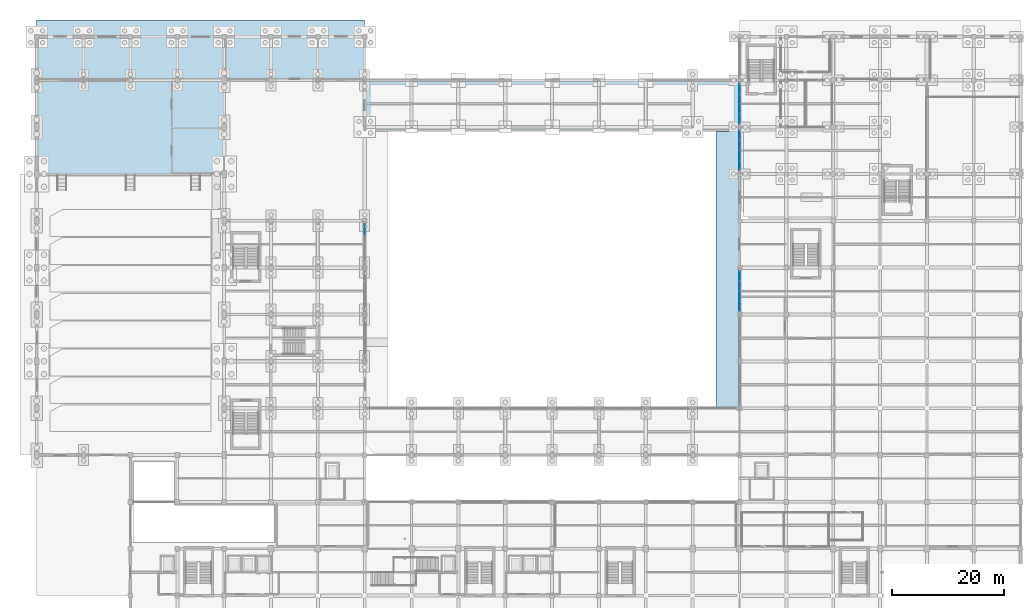
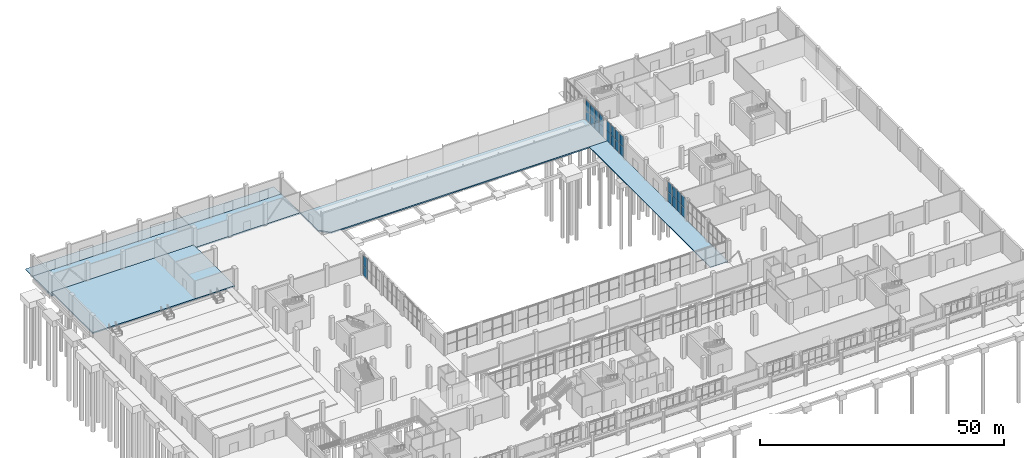
# One storey, part 58 of 82: 26 plates, 5 slabs, 4 elements without a shape of their own.
"""IFC4 building model written with IfcOpenShell, lengths in metres."""

from ifc_helpers import new_model, si_unit, derived_unit, direction, frame, origin, origin_2d, place, context, subcontext, project, spatial, polyline, rectangle, outline, extrude, material, layer, layer_set, type_object, element, aggregate, save


model = new_model("IFC4")

# Units and contexts
model_context = context("Model", 3, precision=1e-05, world=origin(), true_north=direction((0.0, 1.0)))
body_context = subcontext(model_context, "Body", "Model", "MODEL_VIEW")
ifc_project = project(units=[si_unit("LENGTHUNIT", "METRE"), si_unit("AREAUNIT", "SQUARE_METRE"), si_unit("VOLUMEUNIT", "CUBIC_METRE"), si_unit("PLANEANGLEUNIT", "RADIAN"), si_unit("MASSUNIT", "GRAM", prefix="KILO"), derived_unit("THERMALTRANSMITTANCEUNIT", [(si_unit("POWERUNIT", "WATT"), 1), (si_unit("LENGTHUNIT", "METRE"), -2), (si_unit("THERMODYNAMICTEMPERATUREUNIT", "KELVIN"), -1)])], contexts=[model_context])

# Site, building, storey
site_placement = place(None, origin())
site = spatial("IfcSite", under=ifc_project, at=site_placement, CompositionType="ELEMENT")
building_placement = place(site_placement, origin())
building = spatial("IfcBuilding", under=site, at=building_placement, Name="Barrovel Congress Hotel", CompositionType="ELEMENT")
storey_placement = place(building_placement, origin())
storey = spatial("IfcBuildingStorey", under=building, at=storey_placement, Name="L00", CompositionType="ELEMENT", Elevation=0.0)

# Curtain wall, plates
ifc_material_1 = material(Name="Anodised Aluminium Alloy 6063-T6", Category="aluminium")
curtain_wall_type = type_object("IfcCurtainWallType", Name="CW-ST-7200x3600", PredefinedType="USERDEFINED", material=ifc_material_1)
curtain_wall_1_placement = place(storey_placement, origin())
curtain_wall_1 = element("IfcCurtainWall", 1, at=curtain_wall_1_placement, inside=storey, type_object=curtain_wall_type, Name="CW:L00:CE:63.0", ObjectType="STICK CURTAIN WALL", PredefinedType="USERDEFINED")
ifc_material_2 = material(Name="Double Low-E Insulated Glazing", Category="glass")
ifc_layer_1 = layer(ifc_material_2, 0.028076171875)
ifc_layer_set_1 = layer_set([ifc_layer_1], Name="Double Low-E Insulated Glazing")
plate_type_1 = type_object("IfcPlateType", Name="CWP-28", PredefinedType="CURTAIN_PANEL", material=ifc_layer_set_1)
plate_1_placement = place(storey_placement, frame((126.0, 69.89990234375, 0.030029296875), z_axis=(0.0, 0.0, 1.0), x_axis=(0.0, -1.0, 0.0)))
plate_1 = element("IfcPlate", 2, at=plate_1_placement, type_object=plate_type_1, Name="CW:L00:CE:63.0:P0-0", PredefinedType="CURTAIN_PANEL", context=body_context, shape_type="SweptSolid", body=[
    extrude(rectangle(XDim=1.739990234375, YDim=0.028076171875, at=origin_2d()), origin(), (0.0, 0.0, 1.0), 2.5),
])
plate_2_placement = place(storey_placement, frame((126.0, 69.89990234375, 2.590087890625), z_axis=(0.0, 0.0, 1.0), x_axis=(0.0, -1.0, 0.0)))
plate_2 = element("IfcPlate", 3, at=plate_2_placement, type_object=plate_type_1, Name="CW:L00:CE:63.0:P0-1", PredefinedType="CURTAIN_PANEL", context=body_context, shape_type="SweptSolid", body=[
    extrude(rectangle(XDim=1.739990234375, YDim=0.028076171875, at=origin_2d()), origin(), (0.0, 0.0, 1.0), 2.5),
])
plate_3_placement = place(storey_placement, frame((126.0, 68.10009765625, 0.030029296875), z_axis=(0.0, 0.0, 1.0), x_axis=(0.0, -1.0, 0.0)))
plate_3 = element("IfcPlate", 4, at=plate_3_placement, type_object=plate_type_1, Name="CW:L00:CE:63.0:P1-0", PredefinedType="CURTAIN_PANEL", context=body_context, shape_type="SweptSolid", body=[
    extrude(rectangle(XDim=1.739990234375, YDim=0.028076171875, at=origin_2d()), origin(), (0.0, 0.0, 1.0), 2.5),
])
plate_4_placement = place(storey_placement, frame((126.0, 68.10009765625, 2.590087890625), z_axis=(0.0, 0.0, 1.0), x_axis=(0.0, -1.0, 0.0)))
plate_4 = element("IfcPlate", 5, at=plate_4_placement, type_object=plate_type_1, Name="CW:L00:CE:63.0:P1-1", PredefinedType="CURTAIN_PANEL", context=body_context, shape_type="SweptSolid", body=[
    extrude(rectangle(XDim=1.739990234375, YDim=0.028076171875, at=origin_2d()), origin(), (0.0, 0.0, 1.0), 2.5),
])
plate_5_placement = place(storey_placement, frame((126.0, 66.300048828125, 0.030029296875), z_axis=(0.0, 0.0, 1.0), x_axis=(0.0, -1.0, 0.0)))
plate_5 = element("IfcPlate", 6, at=plate_5_placement, type_object=plate_type_1, Name="CW:L00:CE:63.0:P2-0", PredefinedType="CURTAIN_PANEL", context=body_context, shape_type="SweptSolid", body=[
    extrude(rectangle(XDim=1.739990234375, YDim=0.028076171875, at=origin_2d()), origin(), (0.0, 0.0, 1.0), 2.5),
])
plate_6_placement = place(storey_placement, frame((126.0, 66.300048828125, 2.590087890625), z_axis=(0.0, 0.0, 1.0), x_axis=(0.0, -1.0, 0.0)))
plate_6 = element("IfcPlate", 7, at=plate_6_placement, type_object=plate_type_1, Name="CW:L00:CE:63.0:P2-1", PredefinedType="CURTAIN_PANEL", context=body_context, shape_type="SweptSolid", body=[
    extrude(rectangle(XDim=1.739990234375, YDim=0.028076171875, at=origin_2d()), origin(), (0.0, 0.0, 1.0), 2.5),
])
plate_7_placement = place(storey_placement, frame((126.0, 64.5, 0.030029296875), z_axis=(0.0, 0.0, 1.0), x_axis=(0.0, -1.0, 0.0)))
plate_7 = element("IfcPlate", 8, at=plate_7_placement, type_object=plate_type_1, Name="CW:L00:CE:63.0:P3-0", PredefinedType="CURTAIN_PANEL", context=body_context, shape_type="SweptSolid", body=[
    extrude(rectangle(XDim=1.739990234375, YDim=0.028076171875, at=origin_2d()), origin(), (0.0, 0.0, 1.0), 2.5),
])
plate_8_placement = place(storey_placement, frame((126.0, 64.5, 2.590087890625), z_axis=(0.0, 0.0, 1.0), x_axis=(0.0, -1.0, 0.0)))
plate_8 = element("IfcPlate", 9, at=plate_8_placement, type_object=plate_type_1, Name="CW:L00:CE:63.0:P3-1", PredefinedType="CURTAIN_PANEL", context=body_context, shape_type="SweptSolid", body=[
    extrude(rectangle(XDim=1.739990234375, YDim=0.028076171875, at=origin_2d()), origin(), (0.0, 0.0, 1.0), 2.5),
])
aggregate(curtain_wall_1, [plate_1, plate_2, plate_3, plate_4, plate_5, plate_6, plate_7, plate_8])

curtain_wall_2_placement = place(storey_placement, origin())
curtain_wall_2 = element("IfcCurtainWall", 10, at=curtain_wall_2_placement, inside=storey, type_object=curtain_wall_type, Name="CW:L00:CE:96.6", ObjectType="STICK CURTAIN WALL", PredefinedType="USERDEFINED")
plate_9_placement = place(storey_placement, frame((126.0, 103.5, 0.030029296875), z_axis=(0.0, 0.0, 1.0), x_axis=(0.0, -1.0, 0.0)))
plate_9 = element("IfcPlate", 11, at=plate_9_placement, type_object=plate_type_1, Name="CW:L00:CE:96.6:P0-0", PredefinedType="CURTAIN_PANEL", context=body_context, shape_type="SweptSolid", body=[
    extrude(rectangle(XDim=1.739990234375, YDim=0.028076171875, at=origin_2d()), origin(), (0.0, 0.0, 1.0), 2.5),
])
plate_10_placement = place(storey_placement, frame((126.0, 103.5, 2.590087890625), z_axis=(0.0, 0.0, 1.0), x_axis=(0.0, -1.0, 0.0)))
plate_10 = element("IfcPlate", 12, at=plate_10_placement, type_object=plate_type_1, Name="CW:L00:CE:96.6:P0-1", PredefinedType="CURTAIN_PANEL", context=body_context, shape_type="SweptSolid", body=[
    extrude(rectangle(XDim=1.739990234375, YDim=0.028076171875, at=origin_2d()), origin(), (0.0, 0.0, 1.0), 2.5),
])
plate_11_placement = place(storey_placement, frame((126.0, 101.699951171875, 0.030029296875), z_axis=(0.0, 0.0, 1.0), x_axis=(0.0, -1.0, 0.0)))
plate_11 = element("IfcPlate", 13, at=plate_11_placement, type_object=plate_type_1, Name="CW:L00:CE:96.6:P1-0", PredefinedType="CURTAIN_PANEL", context=body_context, shape_type="SweptSolid", body=[
    extrude(rectangle(XDim=1.739990234375, YDim=0.028076171875, at=origin_2d()), origin(), (0.0, 0.0, 1.0), 2.5),
])
plate_12_placement = place(storey_placement, frame((126.0, 101.699951171875, 2.590087890625), z_axis=(0.0, 0.0, 1.0), x_axis=(0.0, -1.0, 0.0)))
plate_12 = element("IfcPlate", 14, at=plate_12_placement, type_object=plate_type_1, Name="CW:L00:CE:96.6:P1-1", PredefinedType="CURTAIN_PANEL", context=body_context, shape_type="SweptSolid", body=[
    extrude(rectangle(XDim=1.739990234375, YDim=0.028076171875, at=origin_2d()), origin(), (0.0, 0.0, 1.0), 2.5),
])
plate_13_placement = place(storey_placement, frame((126.0, 99.89990234375, 0.030029296875), z_axis=(0.0, 0.0, 1.0), x_axis=(0.0, -1.0, 0.0)))
plate_13 = element("IfcPlate", 15, at=plate_13_placement, type_object=plate_type_1, Name="CW:L00:CE:96.6:P2-0", PredefinedType="CURTAIN_PANEL", context=body_context, shape_type="SweptSolid", body=[
    extrude(rectangle(XDim=1.739990234375, YDim=0.028076171875, at=origin_2d()), origin(), (0.0, 0.0, 1.0), 2.5),
])
plate_14_placement = place(storey_placement, frame((126.0, 99.89990234375, 2.590087890625), z_axis=(0.0, 0.0, 1.0), x_axis=(0.0, -1.0, 0.0)))
plate_14 = element("IfcPlate", 16, at=plate_14_placement, type_object=plate_type_1, Name="CW:L00:CE:96.6:P2-1", PredefinedType="CURTAIN_PANEL", context=body_context, shape_type="SweptSolid", body=[
    extrude(rectangle(XDim=1.739990234375, YDim=0.028076171875, at=origin_2d()), origin(), (0.0, 0.0, 1.0), 2.5),
])
plate_15_placement = place(storey_placement, frame((126.0, 98.10009765625, 0.030029296875), z_axis=(0.0, 0.0, 1.0), x_axis=(0.0, -1.0, 0.0)))
plate_15 = element("IfcPlate", 17, at=plate_15_placement, type_object=plate_type_1, Name="CW:L00:CE:96.6:P3-0", PredefinedType="CURTAIN_PANEL", context=body_context, shape_type="SweptSolid", body=[
    extrude(rectangle(XDim=1.739990234375, YDim=0.028076171875, at=origin_2d()), origin(), (0.0, 0.0, 1.0), 2.5),
])
plate_16_placement = place(storey_placement, frame((126.0, 98.10009765625, 2.590087890625), z_axis=(0.0, 0.0, 1.0), x_axis=(0.0, -1.0, 0.0)))
plate_16 = element("IfcPlate", 18, at=plate_16_placement, type_object=plate_type_1, Name="CW:L00:CE:96.6:P3-1", PredefinedType="CURTAIN_PANEL", context=body_context, shape_type="SweptSolid", body=[
    extrude(rectangle(XDim=1.739990234375, YDim=0.028076171875, at=origin_2d()), origin(), (0.0, 0.0, 1.0), 2.5),
])
aggregate(curtain_wall_2, [plate_9, plate_10, plate_11, plate_12, plate_13, plate_14, plate_15, plate_16])

curtain_wall_3_placement = place(storey_placement, origin())
curtain_wall_3 = element("IfcCurtainWall", 19, at=curtain_wall_3_placement, inside=storey, type_object=curtain_wall_type, Name="CW:L00:CW:71.4", ObjectType="STICK CURTAIN WALL", PredefinedType="USERDEFINED")
ifc_layer_2 = layer(ifc_material_2, 0.031982421875)
ifc_layer_set_2 = layer_set([ifc_layer_2], Name="Double Low-E Insulated Glazing")
plate_type_2 = type_object("IfcPlateType", Name="CWP-32", PredefinedType="CURTAIN_PANEL", material=ifc_layer_set_2)
plate_17_placement = place(storey_placement, frame((58.800048828125, 78.300048828125, 0.030029296875), z_axis=(0.0, 0.0, 1.0), x_axis=(0.0, 1.0, 0.0)))
plate_17 = element("IfcPlate", 20, at=plate_17_placement, type_object=plate_type_2, Name="CW:L00:CW:71.4:P3-0", PredefinedType="CURTAIN_PANEL", context=body_context, shape_type="SweptSolid", body=[
    extrude(rectangle(XDim=1.739990234375, YDim=0.031982421875, at=origin_2d()), origin(), (0.0, 0.0, 1.0), 2.5),
])
plate_18_placement = place(storey_placement, frame((58.800048828125, 78.300048828125, 2.590087890625), z_axis=(0.0, 0.0, 1.0), x_axis=(0.0, 1.0, 0.0)))
plate_18 = element("IfcPlate", 21, at=plate_18_placement, type_object=plate_type_2, Name="CW:L00:CW:71.4:P3-1", PredefinedType="CURTAIN_PANEL", context=body_context, shape_type="SweptSolid", body=[
    extrude(rectangle(XDim=1.739990234375, YDim=0.031982421875, at=origin_2d()), origin(), (0.0, 0.0, 1.0), 2.5),
])
aggregate(curtain_wall_3, [plate_17, plate_18])

curtain_wall_4_placement = place(storey_placement, origin())
curtain_wall_4 = element("IfcCurtainWall", 22, at=curtain_wall_4_placement, inside=storey, type_object=curtain_wall_type, Name="CW:L00:CE:88.2", ObjectType="STICK CURTAIN WALL", PredefinedType="USERDEFINED")
plate_19_placement = place(storey_placement, frame((126.0, 95.10009765625, 0.030029296875), z_axis=(0.0, 0.0, 1.0), x_axis=(0.0, -1.0, 0.0)))
plate_19 = element("IfcPlate", 23, at=plate_19_placement, type_object=plate_type_2, Name="CW:L00:CE:88.2:P0-0", PredefinedType="CURTAIN_PANEL", context=body_context, shape_type="SweptSolid", body=[
    extrude(rectangle(XDim=1.739990234375, YDim=0.031982421875, at=origin_2d()), origin(), (0.0, 0.0, 1.0), 2.5),
])
plate_20_placement = place(storey_placement, frame((126.0, 95.10009765625, 2.590087890625), z_axis=(0.0, 0.0, 1.0), x_axis=(0.0, -1.0, 0.0)))
plate_20 = element("IfcPlate", 24, at=plate_20_placement, type_object=plate_type_2, Name="CW:L00:CE:88.2:P0-1", PredefinedType="CURTAIN_PANEL", context=body_context, shape_type="SweptSolid", body=[
    extrude(rectangle(XDim=1.739990234375, YDim=0.031982421875, at=origin_2d()), origin(), (0.0, 0.0, 1.0), 2.5),
])
plate_21_placement = place(storey_placement, frame((126.0, 93.300048828125, 0.030029296875), z_axis=(0.0, 0.0, 1.0), x_axis=(0.0, -1.0, 0.0)))
plate_21 = element("IfcPlate", 25, at=plate_21_placement, type_object=plate_type_2, Name="CW:L00:CE:88.2:P1-0", PredefinedType="CURTAIN_PANEL", context=body_context, shape_type="SweptSolid", body=[
    extrude(rectangle(XDim=1.739990234375, YDim=0.031982421875, at=origin_2d()), origin(), (0.0, 0.0, 1.0), 2.5),
])
plate_22_placement = place(storey_placement, frame((126.0, 93.300048828125, 2.590087890625), z_axis=(0.0, 0.0, 1.0), x_axis=(0.0, -1.0, 0.0)))
plate_22 = element("IfcPlate", 26, at=plate_22_placement, type_object=plate_type_2, Name="CW:L00:CE:88.2:P1-1", PredefinedType="CURTAIN_PANEL", context=body_context, shape_type="SweptSolid", body=[
    extrude(rectangle(XDim=1.739990234375, YDim=0.031982421875, at=origin_2d()), origin(), (0.0, 0.0, 1.0), 2.5),
])
plate_23_placement = place(storey_placement, frame((126.0, 91.5, 0.030029296875), z_axis=(0.0, 0.0, 1.0), x_axis=(0.0, -1.0, 0.0)))
plate_23 = element("IfcPlate", 27, at=plate_23_placement, type_object=plate_type_2, Name="CW:L00:CE:88.2:P2-0", PredefinedType="CURTAIN_PANEL", context=body_context, shape_type="SweptSolid", body=[
    extrude(rectangle(XDim=1.739990234375, YDim=0.031982421875, at=origin_2d()), origin(), (0.0, 0.0, 1.0), 2.5),
])
plate_24_placement = place(storey_placement, frame((126.0, 91.5, 2.590087890625), z_axis=(0.0, 0.0, 1.0), x_axis=(0.0, -1.0, 0.0)))
plate_24 = element("IfcPlate", 28, at=plate_24_placement, type_object=plate_type_2, Name="CW:L00:CE:88.2:P2-1", PredefinedType="CURTAIN_PANEL", context=body_context, shape_type="SweptSolid", body=[
    extrude(rectangle(XDim=1.739990234375, YDim=0.031982421875, at=origin_2d()), origin(), (0.0, 0.0, 1.0), 2.5),
])
plate_25_placement = place(storey_placement, frame((126.0, 89.699951171875, 0.030029296875), z_axis=(0.0, 0.0, 1.0), x_axis=(0.0, -1.0, 0.0)))
plate_25 = element("IfcPlate", 29, at=plate_25_placement, type_object=plate_type_2, Name="CW:L00:CE:88.2:P3-0", PredefinedType="CURTAIN_PANEL", context=body_context, shape_type="SweptSolid", body=[
    extrude(rectangle(XDim=1.739990234375, YDim=0.031982421875, at=origin_2d()), origin(), (0.0, 0.0, 1.0), 2.5),
])
plate_26_placement = place(storey_placement, frame((126.0, 89.699951171875, 2.590087890625), z_axis=(0.0, 0.0, 1.0), x_axis=(0.0, -1.0, 0.0)))
plate_26 = element("IfcPlate", 30, at=plate_26_placement, type_object=plate_type_2, Name="CW:L00:CE:88.2:P3-1", PredefinedType="CURTAIN_PANEL", context=body_context, shape_type="SweptSolid", body=[
    extrude(rectangle(XDim=1.739990234375, YDim=0.031982421875, at=origin_2d()), origin(), (0.0, 0.0, 1.0), 2.5),
])
aggregate(curtain_wall_4, [plate_19, plate_20, plate_21, plate_22, plate_23, plate_24, plate_25, plate_26])

# Slabs
ifc_material_3 = material(Name="Concrete C35", Category="concrete")
ifc_layer_3 = layer(ifc_material_3, 0.320068359375)
ifc_layer_set_3 = layer_set([ifc_layer_3], Name="Concrete C35")
slab_type_1 = type_object("IfcSlabType", Name="SL-B320", PredefinedType="BASESLAB", material=ifc_layer_set_3)
slab_1_placement = place(storey_placement, frame((0.0, 0.0, -0.320068359375)))
element("IfcSlab", 31, at=slab_1_placement, inside=storey, type_object=slab_type_1, Name="SLAB:L00:V1-DOCK", PredefinedType="BASESLAB", context=body_context, shape_type="SweptSolid", body=[
    extrude(outline(polyline([(0.0, 105.0), (58.800048828125, 105.0), (58.800048828125, 112.800048828125), (0.0, 112.800048828125), (0.0, 105.0)])), origin(), (0.0, 0.0, 1.0), 0.320068359375),
])
slab_2_placement = place(storey_placement, frame((0.0, 0.0, -0.320068359375)))
element("IfcSlab", 32, at=slab_2_placement, inside=storey, type_object=slab_type_1, Name="SLAB:L00:V5-NPAV", PredefinedType="BASESLAB", context=body_context, shape_type="SweptSolid", body=[
    extrude(outline(polyline([(60.800048828125, 95.800048828125), (126.0, 95.800048828125), (126.0, 105.0), (58.800048828125, 105.0), (58.800048828125, 97.800048828125), (60.800048828125, 95.800048828125)])), origin(), (0.0, 0.0, 1.0), 0.320068359375),
])
ifc_layer_4 = layer(ifc_material_3, 0.179931640625)
ifc_layer_set_4 = layer_set([ifc_layer_4], Name="Concrete C35")
slab_type_2 = type_object("IfcSlabType", Name="SL-F180", PredefinedType="FLOOR", material=ifc_layer_set_4)
slab_3_placement = place(storey_placement, frame((0.0, 0.0, -0.179931640625)))
element("IfcSlab", 33, at=slab_3_placement, inside=storey, type_object=slab_type_2, Name="Exterior Stone Paving PAV-NORTH-DOCK", PredefinedType="FLOOR", context=body_context, shape_type="SweptSolid", body=[
    extrude(outline(polyline([(0.0, 112.800048828125), (58.800048828125, 112.800048828125), (58.800048828125, 115.800048828125), (0.0, 115.800048828125), (0.0, 112.800048828125)])), origin(), (0.0, 0.0, 1.0), 0.179931640625),
])
slab_4_placement = place(storey_placement, frame((0.0, 0.0, -0.179931640625)))
element("IfcSlab", 34, at=slab_4_placement, inside=storey, type_object=slab_type_2, Name="Exterior Stone Paving PAV-COURT-WALK-E", PredefinedType="FLOOR", context=body_context, shape_type="SweptSolid", body=[
    extrude(outline(polyline([(121.800048828125, 46.199951171875), (126.0, 46.199951171875), (126.0, 95.800048828125), (121.800048828125, 95.800048828125), (121.800048828125, 46.199951171875)])), origin(), (0.0, 0.0, 1.0), 0.179931640625),
])
ifc_layer_5 = layer(ifc_material_3, 0.280029296875)
ifc_layer_set_5 = layer_set([ifc_layer_5], Name="Concrete C35")
slab_type_3 = type_object("IfcSlabType", Name="SL-F280", PredefinedType="FLOOR", material=ifc_layer_set_5)
slab_5_placement = place(storey_placement, frame((0.0, 0.0, 0.52001953125)))
element("IfcSlab", 35, at=slab_5_placement, inside=storey, type_object=slab_type_3, Name="SLAB:L00:V1-STAGE", PredefinedType="FLOOR", context=body_context, shape_type="SweptSolid", body=[
    extrude(outline(polyline([(0.0, 88.199951171875), (33.60009765625, 88.199951171875), (33.60009765625, 105.0), (0.0, 105.0), (0.0, 88.199951171875)])), origin(), (0.0, 0.0, 1.0), 0.280029296875),
])

save(model, "model.ifc")
